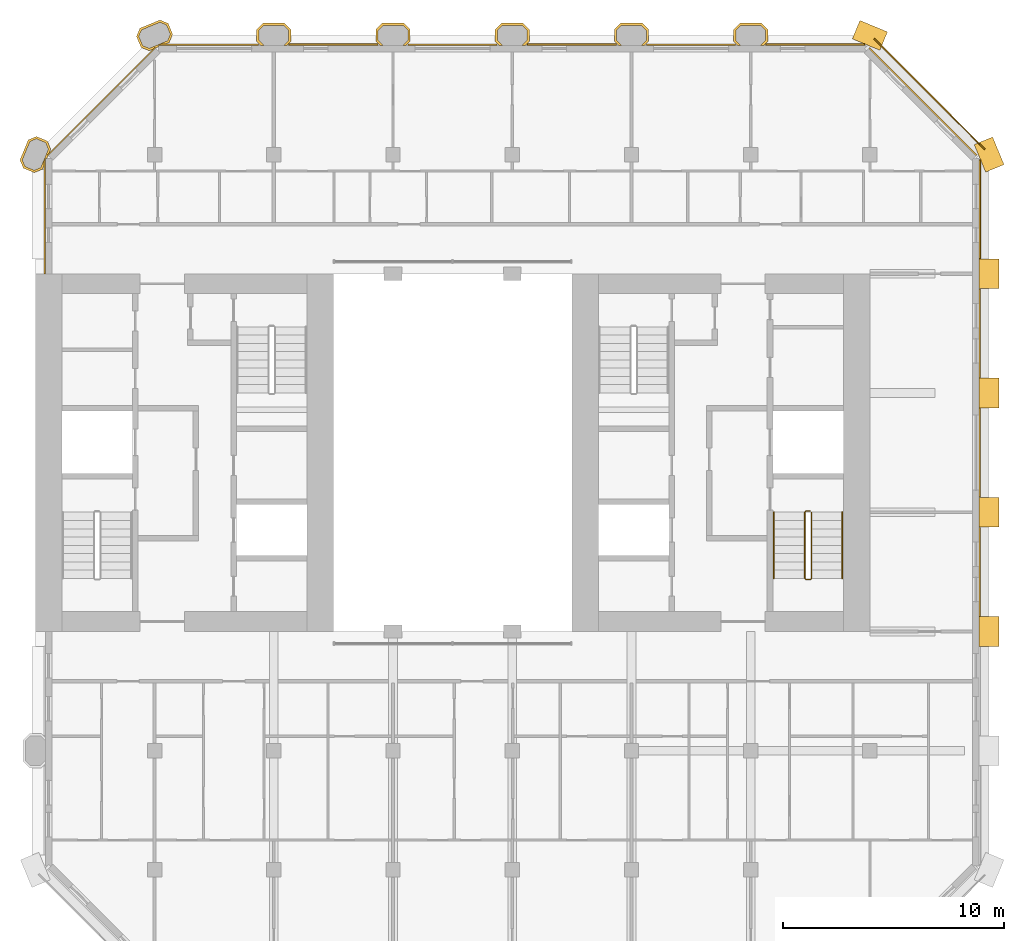
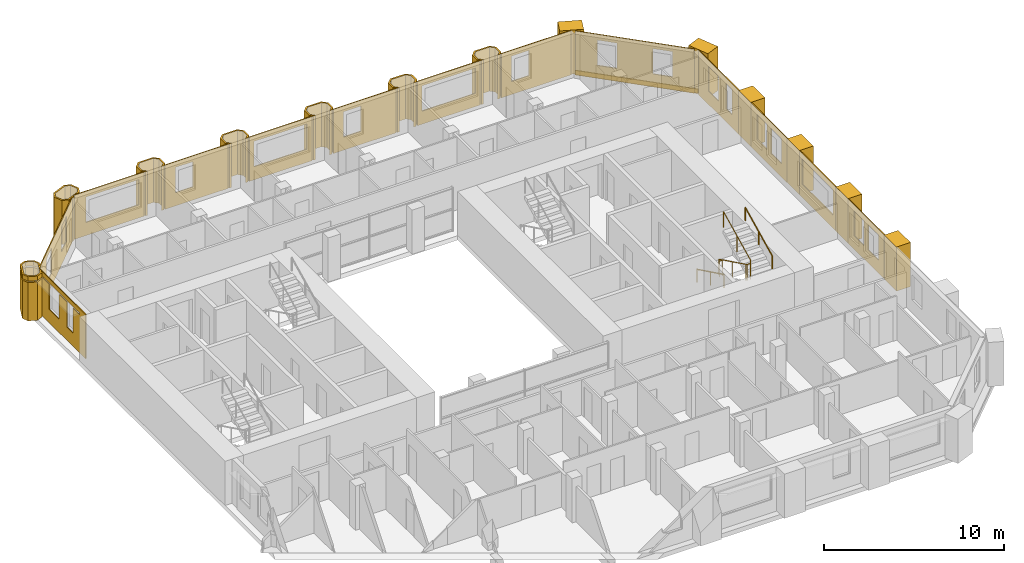
# One storey, part 16 of 16: 28 coverings, 3 railings.
"""IFC4 building model written with IfcOpenShell, lengths in metres."""

from ifc_helpers import new_model, si_unit, direction, frame, frame_2d, origin, origin_2d, place, context, subcontext, project, spatial, polyline, rectangle, circle, outline, extrude, material, layer, layer_set, type_object, element, save


model = new_model("IFC4")

# Units and contexts
model_context = context("Model", 3, precision=1e-05, world=origin(), true_north=direction((0.0, 1.0)))
body_context = subcontext(model_context, "Body", "Model", "MODEL_VIEW")
ifc_project = project(units=[si_unit("LENGTHUNIT", "METRE"), si_unit("AREAUNIT", "SQUARE_METRE"), si_unit("VOLUMEUNIT", "CUBIC_METRE"), si_unit("PLANEANGLEUNIT", "RADIAN"), si_unit("MASSUNIT", "GRAM", prefix="KILO")], contexts=[model_context])

# Site, building, storey
site_placement = place(None, origin())
site = spatial("IfcSite", under=ifc_project, at=site_placement, CompositionType="ELEMENT")
building_placement = place(site_placement, origin())
building = spatial("IfcBuilding", under=site, at=building_placement, Name="Tabaq Tower and Sports Hall", CompositionType="ELEMENT")
storey_placement = place(building_placement, frame((0.0, 0.0, 268.60009765625)))
storey = spatial("IfcBuildingStorey", under=building, at=storey_placement, Name="L65", CompositionType="ELEMENT", Elevation=268.60009765625)

# Coverings
ifc_material_1 = material(Name="Precast concrete C60/75", Category="concrete")
ifc_layer_1 = layer(ifc_material_1, 0.10009765625)
ifc_layer_set_1 = layer_set([ifc_layer_1], Name="Column cladding 100")
covering_type_1 = type_object("IfcCoveringType", Name="Column cladding 100", PredefinedType="CLADDING", material=ifc_layer_set_1)
covering_1_placement = place(storey_placement, origin())
element("IfcCovering", 1, at=covering_1_placement, inside=storey, type_object=covering_type_1, Name="Column cladding L65 PC-2H-R1", PredefinedType="CLADDING", context=body_context, shape_type="SweptSolid", body=[
    extrude(outline(polyline([(4.857421875, 37.186279296875), (4.7041015625, 37.556396484375), (5.080078125, 38.46435546875), (5.450439453125, 38.61767578125), (5.9423828125, 38.413818359375), (6.095947265625, 38.04345703125), (6.026123046875, 37.875), (5.9501953125, 37.799072265625), (5.9814453125, 37.767578125), (5.91796875, 37.614013671875), (5.849609375, 37.614013671875), (5.849609375, 37.55712890625), (5.789794921875, 37.55712890625), (5.789794921875, 37.304443359375), (5.7197265625, 37.1357421875), (5.349609375, 36.982421875), (4.857421875, 37.186279296875)]), holes=[polyline([(5.866455078125, 38.337646484375), (5.450439453125, 38.510009765625), (5.15625, 38.38818359375), (4.811767578125, 37.556396484375), (4.93359375, 37.26220703125), (5.349609375, 37.08984375), (5.643798828125, 37.2119140625), (5.98828125, 38.04345703125), (5.866455078125, 38.337646484375)])]), origin(), (0.0, 0.0, 1.0), 2.599853515625),
])
covering_2_placement = place(storey_placement, frame((0.0, 0.0, 2.699951171875)))
element("IfcCovering", 2, at=covering_2_placement, inside=storey, type_object=covering_type_1, Name="Column cladding L65 PC-2H-R1 2", PredefinedType="CLADDING", context=body_context, shape_type="SweptSolid", body=[
    extrude(outline(polyline([(4.857421875, 37.186279296875), (4.7041015625, 37.556396484375), (5.080078125, 38.46435546875), (5.450439453125, 38.61767578125), (5.9423828125, 38.413818359375), (6.095947265625, 38.04345703125), (6.026123046875, 37.875), (5.9501953125, 37.799072265625), (5.9814453125, 37.767578125), (5.91796875, 37.614013671875), (5.849609375, 37.614013671875), (5.849609375, 37.55712890625), (5.789794921875, 37.55712890625), (5.789794921875, 37.304443359375), (5.7197265625, 37.1357421875), (5.349609375, 36.982421875), (4.857421875, 37.186279296875)]), holes=[polyline([(5.866455078125, 38.337646484375), (5.450439453125, 38.510009765625), (5.15625, 38.38818359375), (4.811767578125, 37.556396484375), (4.93359375, 37.26220703125), (5.349609375, 37.08984375), (5.643798828125, 37.2119140625), (5.98828125, 38.04345703125), (5.866455078125, 38.337646484375)])]), origin(), (0.0, 0.0, 1.0), 0.300048828125),
])
covering_3_placement = place(storey_placement, origin())
element("IfcCovering", 3, at=covering_3_placement, inside=storey, type_object=covering_type_1, Name="Column cladding L65 PC-3I-R1", PredefinedType="CLADDING", context=body_context, shape_type="SweptSolid", body=[
    extrude(outline(polyline([(9.982421875, 43.149658203125), (10.1357421875, 43.519775390625), (11.04345703125, 43.895751953125), (11.413818359375, 43.742431640625), (11.61767578125, 43.25048828125), (11.46435546875, 42.880126953125), (11.295654296875, 42.810302734375), (11.04296875, 42.810302734375), (11.04296875, 42.750244140625), (10.986083984375, 42.750244140625), (10.986083984375, 42.68212890625), (10.83251953125, 42.618408203125), (10.801025390625, 42.64990234375), (10.72509765625, 42.573974609375), (10.556396484375, 42.504150390625), (10.186279296875, 42.657470703125), (9.982421875, 43.149658203125)]), holes=[polyline([(11.510009765625, 43.25048828125), (11.337646484375, 43.66650390625), (11.04345703125, 43.788330078125), (10.2119140625, 43.44384765625), (10.08984375, 43.149658203125), (10.26220703125, 42.733642578125), (10.556396484375, 42.61181640625), (11.38818359375, 42.956298828125), (11.510009765625, 43.25048828125)])]), origin(), (0.0, 0.0, 1.0), 3.0),
])
covering_4_placement = place(storey_placement, origin())
element("IfcCovering", 4, at=covering_4_placement, inside=storey, type_object=covering_type_1, Name="Column cladding L65 PC-4I-R1", PredefinedType="CLADDING", context=body_context, shape_type="SweptSolid", body=[
    extrude(outline(polyline([(15.42529296875, 43.46630859375), (15.708740234375, 43.749755859375), (16.69140625, 43.749755859375), (16.974609375, 43.46630859375), (16.974609375, 42.93359375), (16.791259765625, 42.750244140625), (16.650634765625, 42.750244140625), (16.875244140625, 42.974853515625), (16.875244140625, 43.425048828125), (16.650146484375, 43.650390625), (15.749755859375, 43.650390625), (15.524658203125, 43.425048828125), (15.524658203125, 42.974853515625), (15.749267578125, 42.750244140625), (15.608642578125, 42.750244140625), (15.42529296875, 42.93359375), (15.42529296875, 43.46630859375)])), origin(), (0.0, 0.0, 1.0), 3.0),
])
covering_5_placement = place(storey_placement, origin())
element("IfcCovering", 5, at=covering_5_placement, inside=storey, type_object=covering_type_1, Name="Column cladding L65 PC-5I-R1", PredefinedType="CLADDING", context=body_context, shape_type="SweptSolid", body=[
    extrude(outline(polyline([(20.8251953125, 43.46630859375), (21.108642578125, 43.749755859375), (22.09130859375, 43.749755859375), (22.374755859375, 43.46630859375), (22.374755859375, 42.93359375), (22.19140625, 42.750244140625), (22.05078125, 42.750244140625), (22.275390625, 42.974853515625), (22.275390625, 43.425048828125), (22.050048828125, 43.650390625), (21.14990234375, 43.650390625), (20.9248046875, 43.425048828125), (20.9248046875, 42.974853515625), (21.149169921875, 42.750244140625), (21.0087890625, 42.750244140625), (20.8251953125, 42.93359375), (20.8251953125, 43.46630859375)])), origin(), (0.0, 0.0, 1.0), 3.0),
])
covering_6_placement = place(storey_placement, origin())
element("IfcCovering", 6, at=covering_6_placement, inside=storey, type_object=covering_type_1, Name="Column cladding L65 PC-6I-R1", PredefinedType="CLADDING", context=body_context, shape_type="SweptSolid", body=[
    extrude(outline(polyline([(26.225341796875, 43.46630859375), (26.5087890625, 43.749755859375), (27.4912109375, 43.749755859375), (27.774658203125, 43.46630859375), (27.774658203125, 42.93359375), (27.59130859375, 42.750244140625), (27.45068359375, 42.750244140625), (27.67529296875, 42.974853515625), (27.67529296875, 43.425048828125), (27.4501953125, 43.650390625), (26.5498046875, 43.650390625), (26.32470703125, 43.425048828125), (26.32470703125, 42.974853515625), (26.54931640625, 42.750244140625), (26.40869140625, 42.750244140625), (26.225341796875, 42.93359375), (26.225341796875, 43.46630859375)])), origin(), (0.0, 0.0, 1.0), 3.0),
])
covering_7_placement = place(storey_placement, origin())
element("IfcCovering", 7, at=covering_7_placement, inside=storey, type_object=covering_type_1, Name="Column cladding L65 PC-7I-R1", PredefinedType="CLADDING", context=body_context, shape_type="SweptSolid", body=[
    extrude(outline(polyline([(31.625244140625, 43.46630859375), (31.90869140625, 43.749755859375), (32.891357421875, 43.749755859375), (33.1748046875, 43.46630859375), (33.1748046875, 42.93359375), (32.9912109375, 42.750244140625), (32.850830078125, 42.750244140625), (33.0751953125, 42.974853515625), (33.0751953125, 43.425048828125), (32.85009765625, 43.650390625), (31.949951171875, 43.650390625), (31.724609375, 43.425048828125), (31.724609375, 42.974853515625), (31.94921875, 42.750244140625), (31.80859375, 42.750244140625), (31.625244140625, 42.93359375), (31.625244140625, 43.46630859375)])), origin(), (0.0, 0.0, 1.0), 3.0),
])
covering_8_placement = place(storey_placement, origin())
element("IfcCovering", 8, at=covering_8_placement, inside=storey, type_object=covering_type_1, Name="Column cladding L65 PC-8I-R1", PredefinedType="CLADDING", context=body_context, shape_type="SweptSolid", body=[
    extrude(outline(polyline([(37.025390625, 43.46630859375), (37.30859375, 43.749755859375), (38.291259765625, 43.749755859375), (38.57470703125, 43.46630859375), (38.57470703125, 42.93359375), (38.391357421875, 42.750244140625), (38.250732421875, 42.750244140625), (38.475341796875, 42.974853515625), (38.475341796875, 43.425048828125), (38.250244140625, 43.650390625), (37.349853515625, 43.650390625), (37.124755859375, 43.425048828125), (37.124755859375, 42.974853515625), (37.349365234375, 42.750244140625), (37.208740234375, 42.750244140625), (37.025390625, 42.93359375), (37.025390625, 43.46630859375)])), origin(), (0.0, 0.0, 1.0), 3.0),
])
ifc_material_2 = material(Name="Precast concrete C60/75", Category="concrete")
ifc_layer_2 = layer(ifc_material_2, 0.06005859375)
ifc_layer_set_2 = layer_set([ifc_layer_2], Name="Edge beam cladding 60")
covering_type_2 = type_object("IfcCoveringType", Name="Edge beam cladding 60", PredefinedType="CLADDING", material=ifc_layer_set_2)
covering_9_placement = place(storey_placement, frame((48.41015625, 38.0322265625, -0.300048828125), z_axis=(0.0, 0.0, 1.0), x_axis=(-0.707106781187, 0.707106781187, 0.0)))
element("IfcCovering", 9, at=covering_9_placement, inside=storey, type_object=covering_type_2, Name="Edge beam cladding L65 4", PredefinedType="CLADDING", context=body_context, shape_type="SweptSolid", body=[
    extrude(rectangle(XDim=7.08837890625, YDim=0.06005859375, at=frame_2d((3.544189453125, 0.0))), origin(), (0.0, 0.0, 1.0), 0.300048828125),
])
ifc_material_3 = material(Name="White precast concrete C60/75", Category="concrete")
covering_type_3 = type_object("IfcCoveringType", Name="Pier cladding hung 1350x900", PredefinedType="CLADDING", material=ifc_material_3)
for number, where, z_axis, x_axis, name in (
    (10, (43.82373046875, 42.941650390625, 0.0), (0.0, 0.0, 1.0), (-0.923893411637, 0.382649923473, 0.0), "Hung pier cladding 8/8"),
    (11, (48.60009765625, 15.52490234375, 0.0), (0.0, 0.0, 1.0), (0.0, 1.0, 0.0), "Hung pier cladding 9/3"),
):
    element("IfcCovering", number, at=place(storey_placement, frame(where, z_axis=z_axis, x_axis=x_axis)), inside=storey, type_object=covering_type_3, Name=name, PredefinedType="CLADDING", context=body_context, shape_type="SweptSolid", body=[
        extrude(rectangle(XDim=1.35009765625, YDim=0.89990234375, at=frame_2d((0.675048828125, 0.0))), origin(), (0.0, 0.0, 1.0), 3.0),
    ])
covering_10_placement = place(storey_placement, frame((48.60009765625, 20.925048828125, 0.0), z_axis=(0.0, 0.0, 1.0), x_axis=(0.0, 1.0, 0.0)))
element("IfcCovering", 12, at=covering_10_placement, inside=storey, type_object=covering_type_3, Name="Hung pier cladding 9/4", PredefinedType="CLADDING", context=body_context, shape_type="SweptSolid", body=[
    extrude(rectangle(XDim=1.349853515625, YDim=0.89990234375, at=frame_2d((0.6748046875, 0.0))), origin(), (0.0, 0.0, 1.0), 3.0),
])
covering_11_placement = place(storey_placement, frame((48.60009765625, 26.324951171875, 0.0), z_axis=(0.0, 0.0, 1.0), x_axis=(0.0, 1.0, 0.0)))
element("IfcCovering", 13, at=covering_11_placement, inside=storey, type_object=covering_type_3, Name="Hung pier cladding 9/5", PredefinedType="CLADDING", context=body_context, shape_type="SweptSolid", body=[
    extrude(rectangle(XDim=1.35009765625, YDim=0.89990234375, at=frame_2d((0.675048828125, 0.0))), origin(), (0.0, 0.0, 1.0), 3.0),
])
covering_12_placement = place(storey_placement, frame((48.60009765625, 31.72509765625, 0.0), z_axis=(0.0, 0.0, 1.0), x_axis=(0.0, 1.0, 0.0)))
element("IfcCovering", 14, at=covering_12_placement, inside=storey, type_object=covering_type_3, Name="Hung pier cladding 9/6", PredefinedType="CLADDING", context=body_context, shape_type="SweptSolid", body=[
    extrude(rectangle(XDim=1.349853515625, YDim=0.89990234375, at=frame_2d((0.6748046875, 0.0))), origin(), (0.0, 0.0, 1.0), 3.0),
])
covering_13_placement = place(storey_placement, frame((48.8583984375, 37.17626953125, 0.0), z_axis=(0.0, 0.0, 1.0), x_axis=(-0.382649923473, 0.923893411637, 0.0)))
element("IfcCovering", 15, at=covering_13_placement, inside=storey, type_object=covering_type_3, Name="Hung pier cladding 9/7", PredefinedType="CLADDING", context=body_context, shape_type="SweptSolid", body=[
    extrude(rectangle(XDim=1.35009765625, YDim=0.89990234375, at=frame_2d((0.675048828125, 0.0))), origin(), (0.0, 0.0, 1.0), 3.0),
])

# Railings
ifc_material_4 = material(Name="Stainless steel", Category="steel")
railing_type_1 = type_object("IfcRailingType", Name="Stair guard", PredefinedType="GUARDRAIL", material=ifc_material_4)
railing_1_placement = place(storey_placement, frame((40.5, 21.64990234375, 0.0)))
element("IfcRailing", 16, at=railing_1_placement, inside=storey, type_object=railing_type_1, Name="L65 ST3 stair guard 1", PredefinedType="GUARDRAIL", context=body_context, shape_type="SweptSolid", body=[
    extrude(circle(Radius=0.02392578125, at=origin_2d()), frame((0.0, 0.0, 1.076171875), z_axis=(-1.0, 0.0, 0.0), x_axis=(0.0, -1.0, 0.0)), (0.0, 0.0, 1.0), 0.199951171875),
    extrude(circle(Radius=0.02392578125, at=origin_2d()), frame((-0.199951171875, 0.0, 1.076171875), z_axis=(-0.254733673405, -0.25349107012, 0.933195066962), x_axis=(0.705375805398, -0.708833529934, 0.0)), (0.0, 0.0, 1.0), 0.196533203125),
    extrude(circle(Radius=0.02392578125, at=origin_2d()), frame((-0.25, -0.0498046875, 1.25927734375), z_axis=(0.0, -0.898397823093, 0.439182594671), x_axis=(1.0, 0.0, 0.0)), (0.0, 0.0, 1.0), 3.33935546875),
    extrude(circle(Radius=0.02392578125, at=origin_2d()), frame((-0.25, -3.0498046875, 2.72607421875), z_axis=(0.707106781187, -0.707106781187, 0.0), x_axis=(0.707106781187, 0.707106781187, 0.0)), (0.0, 0.0, 1.0), 0.07080078125),
    extrude(circle(Radius=0.02392578125, at=origin_2d()), frame((-0.199951171875, -3.099853515625, 2.72607421875), z_axis=(1.0, 0.0, 0.0), x_axis=(0.0, 1.0, 0.0)), (0.0, 0.0, 1.0), 0.199951171875),
    extrude(circle(Radius=0.02392578125, at=origin_2d()), frame((0.0, -3.099853515625, 2.72607421875), z_axis=(0.254653276557, 0.254653276557, 0.932900539971), x_axis=(-0.707106781187, 0.707106781187, 0.0)), (0.0, 0.0, 1.0), 0.196533203125),
    extrude(circle(Radius=0.02392578125, at=origin_2d()), frame((0.050048828125, -3.0498046875, 2.9091796875), z_axis=(0.0, 0.898397823093, 0.439182594671), x_axis=(-1.0, 0.0, 0.0)), (0.0, 0.0, 1.0), 3.33935546875),
    extrude(circle(Radius=0.02099609375, at=origin_2d()), origin(), (0.0, 0.0, 1.0), 1.052001953125),
    extrude(circle(Radius=0.02099609375, at=origin_2d()), frame((-0.199951171875, 0.0, 0.0)), (0.0, 0.0, 1.0), 1.052001953125),
    extrude(circle(Radius=0.02099609375, at=origin_2d()), frame((-0.25, -0.0498046875, 0.183349609375)), (0.0, 0.0, 1.0), 1.052001953125),
    extrude(circle(Radius=0.02099609375, at=origin_2d()), frame((-0.25, -1.5498046875, 0.91650390625)), (0.0, 0.0, 1.0), 1.052001953125),
    extrude(circle(Radius=0.02099609375, at=origin_2d()), frame((-0.25, -3.0498046875, 1.64990234375)), (0.0, 0.0, 1.0), 1.052001953125),
    extrude(circle(Radius=0.02099609375, at=origin_2d()), frame((-0.199951171875, -3.099853515625, 1.64990234375)), (0.0, 0.0, 1.0), 1.052001953125),
    extrude(circle(Radius=0.02099609375, at=origin_2d()), frame((0.0, -3.099853515625, 1.64990234375)), (0.0, 0.0, 1.0), 1.052001953125),
    extrude(circle(Radius=0.02099609375, at=origin_2d()), frame((0.050048828125, -3.0498046875, 1.833251953125)), (0.0, 0.0, 1.0), 1.052001953125),
    extrude(circle(Radius=0.02099609375, at=origin_2d()), frame((0.050048828125, -1.5498046875, 2.56640625)), (0.0, 0.0, 1.0), 1.052001953125),
    extrude(circle(Radius=0.02099609375, at=origin_2d()), frame((0.050048828125, -0.0498046875, 3.2998046875)), (0.0, 0.0, 1.0), 1.052001953125),
])
ifc_material_5 = material(Name="Stainless steel", Category="steel")
railing_type_2 = type_object("IfcRailingType", Name="Stair handrail", PredefinedType="HANDRAIL", material=ifc_material_5)
railing_2_placement = place(storey_placement, frame((38.85009765625, 21.60009765625, 0.183349609375)))
element("IfcRailing", 17, at=railing_2_placement, inside=storey, type_object=railing_type_2, Name="L65 ST3 stair handrail 1", PredefinedType="HANDRAIL", context=body_context, shape_type="SweptSolid", body=[
    extrude(circle(Radius=0.02392578125, at=origin_2d()), frame((0.0, 0.0, 0.8759765625), z_axis=(0.0, -0.898397823093, 0.439182594671), x_axis=(1.0, 0.0, 0.0)), (0.0, 0.0, 1.0), 3.33935546875),
    extrude(circle(Radius=0.02099609375, at=origin_2d()), origin(), (0.0, 0.0, 1.0), 0.851806640625),
    extrude(circle(Radius=0.02099609375, at=origin_2d()), frame((0.0, -1.5, 0.7333984375)), (0.0, 0.0, 1.0), 0.851806640625),
    extrude(circle(Radius=0.02099609375, at=origin_2d()), frame((0.0, -3.0, 1.466552734375)), (0.0, 0.0, 1.0), 0.851806640625),
])
railing_3_placement = place(storey_placement, frame((41.949951171875, 18.60009765625, 1.833251953125)))
element("IfcRailing", 18, at=railing_3_placement, inside=storey, type_object=railing_type_2, Name="L65 ST3 stair handrail 2", PredefinedType="HANDRAIL", context=body_context, shape_type="SweptSolid", body=[
    extrude(circle(Radius=0.02392578125, at=origin_2d()), frame((0.0, 0.0, 0.8759765625), z_axis=(0.0, 0.898397823093, 0.439182594671), x_axis=(-1.0, 0.0, 0.0)), (0.0, 0.0, 1.0), 3.33935546875),
    extrude(circle(Radius=0.02099609375, at=origin_2d()), origin(), (0.0, 0.0, 1.0), 0.851806640625),
    extrude(circle(Radius=0.02099609375, at=origin_2d()), frame((0.0, 1.5, 0.7333984375)), (0.0, 0.0, 1.0), 0.851806640625),
    extrude(circle(Radius=0.02099609375, at=origin_2d()), frame((0.0, 3.0, 1.466552734375)), (0.0, 0.0, 1.0), 0.851806640625),
])

# Coverings
ifc_material_6 = material(Name="Precast concrete C60/75", Category="concrete")
ifc_layer_3 = layer(ifc_material_6, 0.06005859375)
ifc_layer_set_3 = layer_set([ifc_layer_3], Name="White precast cladding panel 60 C60/75")
covering_type_4 = type_object("IfcCoveringType", Name="White precast cladding panel 60 C60/75", PredefinedType="CLADDING", material=ifc_layer_set_3)
covering_14_placement = place(storey_placement, frame((48.179931640625, 16.885009765625, 0.0), z_axis=(0.0, 0.0, 1.0), x_axis=(0.0, 1.0, 0.0)))
element("IfcCovering", 19, at=covering_14_placement, inside=storey, type_object=covering_type_4, Name="White precast cladding panel L65 wall02 3", PredefinedType="CLADDING", context=body_context, shape_type="SweptSolid", body=[
    extrude(outline(polyline([(0.0, 0.0), (4.030029296875, 0.0), (4.030029296875, 3.0), (0.0, 3.0), (0.0, 0.0)]), holes=[polyline([(0.655029296875, 2.60986328125), (1.77490234375, 2.60986328125), (1.77490234375, 0.889892578125), (0.655029296875, 0.889892578125), (0.655029296875, 2.60986328125)]), polyline([(2.2548828125, 2.60986328125), (3.375, 2.60986328125), (3.375, 0.889892578125), (2.2548828125, 0.889892578125), (2.2548828125, 2.60986328125)])]), frame((0.0, 0.030029296875, 0.0), z_axis=(0.0, -1.0, 0.0), x_axis=(1.0, 0.0, 0.0)), (0.0, 0.0, 1.0), 0.06005859375),
])
covering_15_placement = place(storey_placement, frame((48.179931640625, 22.284912109375, 0.0), z_axis=(0.0, 0.0, 1.0), x_axis=(0.0, 1.0, 0.0)))
element("IfcCovering", 20, at=covering_15_placement, inside=storey, type_object=covering_type_4, Name="White precast cladding panel L65 wall02 4", PredefinedType="CLADDING", context=body_context, shape_type="SweptSolid", body=[
    extrude(outline(polyline([(0.0, 0.0), (4.030029296875, 0.0), (4.030029296875, 3.0), (0.0, 3.0), (0.0, 0.0)]), holes=[polyline([(0.304931640625, 0.889892578125), (0.304931640625, 2.60986328125), (3.72509765625, 2.60986328125), (3.72509765625, 0.889892578125), (0.304931640625, 0.889892578125)])]), frame((0.0, 0.030029296875, 0.0), z_axis=(0.0, -1.0, 0.0), x_axis=(1.0, 0.0, 0.0)), (0.0, 0.0, 1.0), 0.06005859375),
])
covering_16_placement = place(storey_placement, frame((48.179931640625, 27.68505859375, 0.0), z_axis=(0.0, 0.0, 1.0), x_axis=(0.0, 1.0, 0.0)))
element("IfcCovering", 21, at=covering_16_placement, inside=storey, type_object=covering_type_4, Name="White precast cladding panel L65 wall02 5", PredefinedType="CLADDING", context=body_context, shape_type="SweptSolid", body=[
    extrude(outline(polyline([(0.0, 0.0), (4.030029296875, 0.0), (4.030029296875, 3.0), (0.0, 3.0), (0.0, 0.0)]), holes=[polyline([(0.655029296875, 2.60986328125), (1.77490234375, 2.60986328125), (1.77490234375, 0.889892578125), (0.655029296875, 0.889892578125), (0.655029296875, 2.60986328125)]), polyline([(2.2548828125, 2.60986328125), (3.375, 2.60986328125), (3.375, 0.889892578125), (2.2548828125, 0.889892578125), (2.2548828125, 2.60986328125)])]), frame((0.0, 0.030029296875, 0.0), z_axis=(0.0, -1.0, 0.0), x_axis=(1.0, 0.0, 0.0)), (0.0, 0.0, 1.0), 0.06005859375),
])
covering_17_placement = place(storey_placement, frame((48.179931640625, 33.0849609375, 0.0), z_axis=(0.0, 0.0, 1.0), x_axis=(0.0, 1.0, 0.0)))
element("IfcCovering", 22, at=covering_17_placement, inside=storey, type_object=covering_type_4, Name="White precast cladding panel L65 wall02 6", PredefinedType="CLADDING", context=body_context, shape_type="SweptSolid", body=[
    extrude(outline(polyline([(0.0, 0.0), (4.471923828125, 0.0), (4.471923828125, 3.0), (0.0, 3.0), (0.0, 0.0)]), holes=[polyline([(0.72998046875, 2.60986328125), (1.39990234375, 2.60986328125), (1.39990234375, 0.889892578125), (0.72998046875, 0.889892578125), (0.72998046875, 2.60986328125)]), polyline([(2.2548828125, 2.60986328125), (3.375, 2.60986328125), (3.375, 0.889892578125), (2.2548828125, 0.889892578125), (2.2548828125, 2.60986328125)])]), frame((0.0, 0.030029296875, 0.0), z_axis=(0.0, -1.0, 0.0), x_axis=(1.0, 0.0, 0.0)), (0.0, 0.0, 1.0), 0.06005859375),
])
covering_18_placement = place(storey_placement, frame((48.0283203125, 37.77783203125, 0.0), z_axis=(0.0, 0.0, 1.0), x_axis=(-0.707124576528, 0.707088985397, 0.0)))
element("IfcCovering", 23, at=covering_18_placement, inside=storey, type_object=covering_type_4, Name="White precast cladding panel L65 wall03", PredefinedType="CLADDING", context=body_context, shape_type="SweptSolid", body=[
    extrude(outline(polyline([(0.0, 0.0), (6.859619140625, 0.0), (6.859619140625, 3.0), (0.0, 3.0), (0.0, 0.0)]), holes=[polyline([(1.269775390625, 2.60986328125), (2.389892578125, 2.60986328125), (2.389892578125, 0.889892578125), (1.269775390625, 0.889892578125), (1.269775390625, 2.60986328125)]), polyline([(4.4697265625, 2.60986328125), (5.58984375, 2.60986328125), (5.58984375, 0.889892578125), (4.4697265625, 0.889892578125), (4.4697265625, 2.60986328125)])]), frame((0.0, 0.030029296875, 0.0), z_axis=(0.0, -1.0, 0.0), x_axis=(1.0, 0.0, 0.0)), (0.0, 0.0, 1.0), 0.06005859375),
])
covering_19_placement = place(storey_placement, frame((42.956787109375, 42.780029296875, 0.0), z_axis=(0.0, 0.0, 1.0), x_axis=(-1.0, 0.0, 0.0)))
element("IfcCovering", 24, at=covering_19_placement, inside=storey, type_object=covering_type_4, Name="White precast cladding panel L65 wall04", PredefinedType="CLADDING", context=body_context, shape_type="SweptSolid", body=[
    extrude(outline(polyline([(0.0, 0.0), (4.4716796875, 0.0), (4.4716796875, 3.0), (0.0, 3.0), (0.0, 0.0)]), holes=[polyline([(2.69677734375, 0.889892578125), (2.69677734375, 2.60986328125), (3.81689453125, 2.60986328125), (3.81689453125, 0.889892578125), (2.69677734375, 0.889892578125)])]), frame((0.0, 0.030029296875, 0.0), z_axis=(0.0, -1.0, 0.0), x_axis=(1.0, 0.0, 0.0)), (0.0, 0.0, 1.0), 0.06005859375),
])
covering_20_placement = place(storey_placement, frame((37.114990234375, 42.780029296875, 0.0), z_axis=(0.0, 0.0, 1.0), x_axis=(-1.0, 0.0, 0.0)))
element("IfcCovering", 25, at=covering_20_placement, inside=storey, type_object=covering_type_4, Name="White precast cladding panel L65 wall04 2", PredefinedType="CLADDING", context=body_context, shape_type="SweptSolid", body=[
    extrude(outline(polyline([(0.0, 0.0), (4.030029296875, 0.0), (4.030029296875, 3.0), (0.0, 3.0), (0.0, 0.0)]), holes=[polyline([(0.304931640625, 0.889892578125), (0.304931640625, 2.60986328125), (3.72509765625, 2.60986328125), (3.72509765625, 0.889892578125), (0.304931640625, 0.889892578125)])]), frame((0.0, 0.030029296875, 0.0), z_axis=(0.0, -1.0, 0.0), x_axis=(1.0, 0.0, 0.0)), (0.0, 0.0, 1.0), 0.06005859375),
])
covering_21_placement = place(storey_placement, frame((31.715087890625, 42.780029296875, 0.0), z_axis=(0.0, 0.0, 1.0), x_axis=(-1.0, 0.0, 0.0)))
element("IfcCovering", 26, at=covering_21_placement, inside=storey, type_object=covering_type_4, Name="White precast cladding panel L65 wall04 3", PredefinedType="CLADDING", context=body_context, shape_type="SweptSolid", body=[
    extrude(outline(polyline([(0.0, 0.0), (4.030029296875, 0.0), (4.030029296875, 3.0), (0.0, 3.0), (0.0, 0.0)]), holes=[polyline([(2.2548828125, 0.889892578125), (2.2548828125, 2.60986328125), (3.375, 2.60986328125), (3.375, 0.889892578125), (2.2548828125, 0.889892578125)])]), frame((0.0, 0.030029296875, 0.0), z_axis=(0.0, -1.0, 0.0), x_axis=(1.0, 0.0, 0.0)), (0.0, 0.0, 1.0), 0.06005859375),
])
covering_22_placement = place(storey_placement, frame((26.31494140625, 42.780029296875, 0.0), z_axis=(0.0, 0.0, 1.0), x_axis=(-1.0, 0.0, 0.0)))
element("IfcCovering", 27, at=covering_22_placement, inside=storey, type_object=covering_type_4, Name="White precast cladding panel L65 wall04 4", PredefinedType="CLADDING", context=body_context, shape_type="SweptSolid", body=[
    extrude(outline(polyline([(0.0, 0.0), (4.030029296875, 0.0), (4.030029296875, 3.0), (0.0, 3.0), (0.0, 0.0)]), holes=[polyline([(0.304931640625, 0.889892578125), (0.304931640625, 2.60986328125), (3.72509765625, 2.60986328125), (3.72509765625, 0.889892578125), (0.304931640625, 0.889892578125)])]), frame((0.0, 0.030029296875, 0.0), z_axis=(0.0, -1.0, 0.0), x_axis=(1.0, 0.0, 0.0)), (0.0, 0.0, 1.0), 0.06005859375),
])
covering_23_placement = place(storey_placement, frame((20.9150390625, 42.780029296875, 0.0), z_axis=(0.0, 0.0, 1.0), x_axis=(-1.0, 0.0, 0.0)))
element("IfcCovering", 28, at=covering_23_placement, inside=storey, type_object=covering_type_4, Name="White precast cladding panel L65 wall04 5", PredefinedType="CLADDING", context=body_context, shape_type="SweptSolid", body=[
    extrude(outline(polyline([(0.0, 0.0), (4.030029296875, 0.0), (4.030029296875, 3.0), (0.0, 3.0), (0.0, 0.0)]), holes=[polyline([(2.2548828125, 0.889892578125), (2.2548828125, 2.60986328125), (3.375, 2.60986328125), (3.375, 0.889892578125), (2.2548828125, 0.889892578125)])]), frame((0.0, 0.030029296875, 0.0), z_axis=(0.0, -1.0, 0.0), x_axis=(1.0, 0.0, 0.0)), (0.0, 0.0, 1.0), 0.06005859375),
])
covering_24_placement = place(storey_placement, frame((15.514892578125, 42.780029296875, 0.0), z_axis=(0.0, 0.0, 1.0), x_axis=(-1.0, 0.0, 0.0)))
element("IfcCovering", 29, at=covering_24_placement, inside=storey, type_object=covering_type_4, Name="White precast cladding panel L65 wall04 6", PredefinedType="CLADDING", context=body_context, shape_type="SweptSolid", body=[
    extrude(outline(polyline([(0.0, 0.0), (4.4716796875, 0.0), (4.4716796875, 3.0), (0.0, 3.0), (0.0, 0.0)]), holes=[polyline([(0.304931640625, 0.889892578125), (0.304931640625, 2.60986328125), (3.72509765625, 2.60986328125), (3.72509765625, 0.889892578125), (0.304931640625, 0.889892578125)])]), frame((0.0, 0.030029296875, 0.0), z_axis=(0.0, -1.0, 0.0), x_axis=(1.0, 0.0, 0.0)), (0.0, 0.0, 1.0), 0.06005859375),
])
covering_25_placement = place(storey_placement, frame((10.822265625, 42.628173828125, 0.0), z_axis=(0.0, 0.0, 1.0), x_axis=(-0.707124576528, -0.707088985397, 0.0)))
element("IfcCovering", 30, at=covering_25_placement, inside=storey, type_object=covering_type_4, Name="White precast cladding panel L65 wall05", PredefinedType="CLADDING", context=body_context, shape_type="SweptSolid", body=[
    extrude(outline(polyline([(0.0, 0.0), (6.859619140625, 0.0), (6.859619140625, 3.0), (0.0, 3.0), (0.0, 0.0)]), holes=[polyline([(1.269775390625, 2.60986328125), (2.389892578125, 2.60986328125), (2.389892578125, 0.889892578125), (1.269775390625, 0.889892578125), (1.269775390625, 2.60986328125)]), polyline([(4.4697265625, 2.60986328125), (5.58984375, 2.60986328125), (5.58984375, 0.889892578125), (4.4697265625, 0.889892578125), (4.4697265625, 2.60986328125)])]), frame((0.0, 0.030029296875, 0.0), z_axis=(0.0, -1.0, 0.0), x_axis=(1.0, 0.0, 0.0)), (0.0, 0.0, 1.0), 0.06005859375),
])
covering_26_placement = place(storey_placement, frame((5.820068359375, 37.556884765625, 0.0), z_axis=(0.0, 0.0, 1.0), x_axis=(0.0, -1.0, 0.0)))
element("IfcCovering", 31, at=covering_26_placement, inside=storey, type_object=covering_type_4, Name="White precast cladding panel L65 wall06", PredefinedType="CLADDING", context=body_context, shape_type="SweptSolid", body=[
    extrude(outline(polyline([(0.0, 0.0), (5.156982421875, 0.0), (5.156982421875, 3.0), (0.0, 3.0), (0.0, 0.0)]), holes=[polyline([(1.096923828125, 2.58984375), (0.421875, 2.58984375), (0.421875, 2.7099609375), (4.491943359375, 2.7099609375), (4.491943359375, 2.58984375), (3.741943359375, 2.58984375), (3.741943359375, 0.889892578125), (3.07177734375, 0.889892578125), (3.07177734375, 2.58984375), (2.216796875, 2.58984375), (2.216796875, 0.889892578125), (1.096923828125, 0.889892578125), (1.096923828125, 2.58984375)])]), frame((0.0, 0.030029296875, 0.0), z_axis=(0.0, -1.0, 0.0), x_axis=(1.0, 0.0, 0.0)), (0.0, 0.0, 1.0), 0.06005859375),
])

save(model, "model.ifc")
